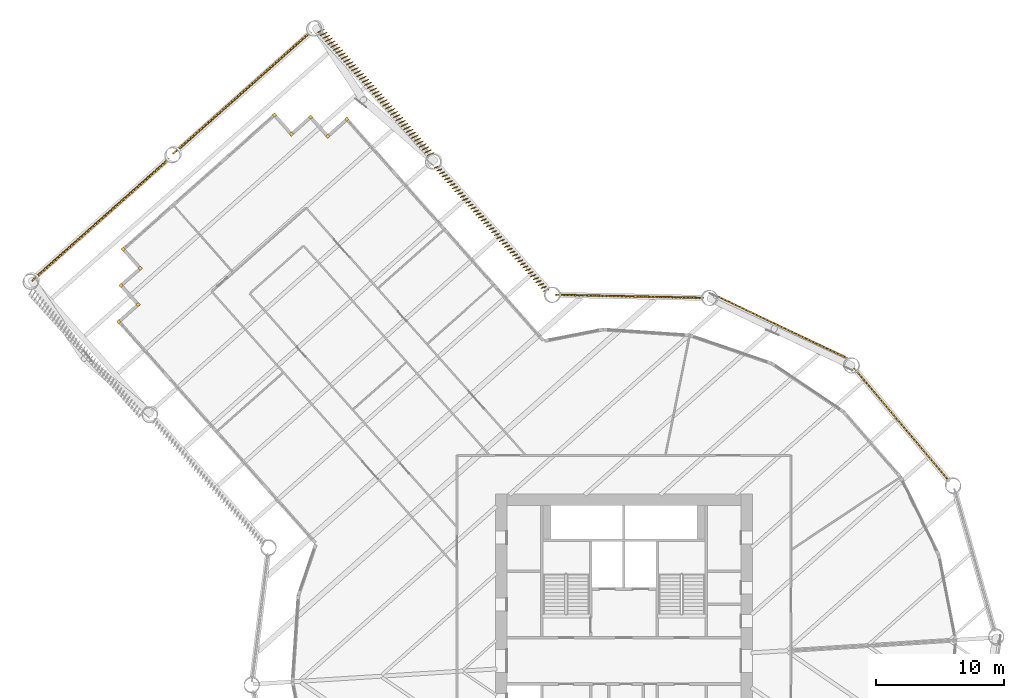
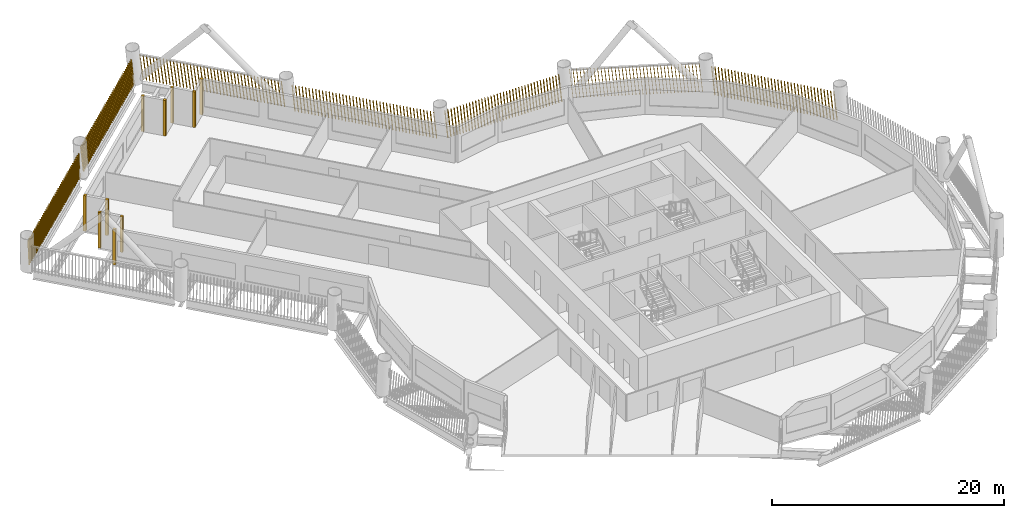
# One storey, part 21 of 22: 17 shading devices.
"""IFC4 building model written with IfcOpenShell, lengths in metres."""

from ifc_helpers import new_model, si_unit, direction, frame, frame_2d, origin, origin_2d, place, context, subcontext, project, spatial, rectangle, composite_profile, extrude, material, type_object, element, save


model = new_model("IFC4")

# Units and contexts
model_context = context("Model", 3, precision=1e-05, world=origin(), true_north=direction((0.0, 1.0)))
body_context = subcontext(model_context, "Body", "Model", "MODEL_VIEW")
ifc_project = project(units=[si_unit("LENGTHUNIT", "METRE"), si_unit("AREAUNIT", "SQUARE_METRE"), si_unit("VOLUMEUNIT", "CUBIC_METRE"), si_unit("PLANEANGLEUNIT", "RADIAN"), si_unit("MASSUNIT", "GRAM", prefix="KILO")], contexts=[model_context])

# Site, building, storey
site_placement = place(None, origin())
site = spatial("IfcSite", under=ifc_project, at=site_placement, CompositionType="ELEMENT")
building_placement = place(site_placement, origin())
building = spatial("IfcBuilding", under=site, at=building_placement, Name="Tarsis Ring Headquarters", CompositionType="ELEMENT")
storey_placement = place(building_placement, frame((0.0, 0.0, 55.60009765625)))
storey = spatial("IfcBuildingStorey", under=building, at=storey_placement, Name="L11", CompositionType="ELEMENT", Elevation=55.60009765625)

# Shading devices
ifc_material = material(Name="Terracotta baguette", Category="masonry")
shading_device_type_1 = type_object("IfcShadingDeviceType", Name="Terracotta baguette screen", PredefinedType="USERDEFINED", material=ifc_material)
shading_device_1_placement = place(storey_placement, frame((25.33984375, 13.994140625, 0.0), z_axis=(0.0, 0.0, 1.0), x_axis=(-0.644305061203, 0.76475822554, 0.0)))
element("IfcShadingDevice", 1, at=shading_device_1_placement, inside=storey, type_object=shading_device_type_1, Name="Baguette screen L11-12", ObjectType="Terracotta baguette screen", PredefinedType="USERDEFINED", context=body_context, shape_type="SweptSolid", body=[
    extrude(composite_profile([rectangle(XDim=0.06005859375, YDim=0.1201171875, at=frame_2d((0.030029296875, 0.0))), rectangle(XDim=0.06005859375, YDim=0.1201171875, at=frame_2d((0.33251953125, 0.0))), rectangle(XDim=0.06005859375, YDim=0.1201171875, at=frame_2d((0.634765625, 0.0))), rectangle(XDim=0.06005859375, YDim=0.1201171875, at=frame_2d((0.937255859375, 0.0))), rectangle(XDim=0.06005859375, YDim=0.1201171875, at=frame_2d((1.239501953125, 0.0))), rectangle(XDim=0.06005859375, YDim=0.1201171875, at=frame_2d((1.5419921875, 0.0))), rectangle(XDim=0.06005859375, YDim=0.1201171875, at=frame_2d((1.844482421875, 0.0))), rectangle(XDim=0.06005859375, YDim=0.1201171875, at=frame_2d((2.146728515625, 0.0))), rectangle(XDim=0.06005859375, YDim=0.1201171875, at=frame_2d((2.44921875, 0.0))), rectangle(XDim=0.06005859375, YDim=0.1201171875, at=frame_2d((2.751708984375, 0.0))), rectangle(XDim=0.06005859375, YDim=0.1201171875, at=frame_2d((3.053955078125, 0.0))), rectangle(XDim=0.06005859375, YDim=0.1201171875, at=frame_2d((3.3564453125, 0.0))), rectangle(XDim=0.06005859375, YDim=0.1201171875, at=frame_2d((3.65869140625, 0.0))), rectangle(XDim=0.06005859375, YDim=0.1201171875, at=frame_2d((3.961181640625, 0.0))), rectangle(XDim=0.06005859375, YDim=0.1201171875, at=frame_2d((4.263671875, 0.0))), rectangle(XDim=0.06005859375, YDim=0.1201171875, at=frame_2d((4.56591796875, 0.0))), rectangle(XDim=0.06005859375, YDim=0.1201171875, at=frame_2d((4.868408203125, 0.0))), rectangle(XDim=0.06005859375, YDim=0.1201171875, at=frame_2d((5.1708984375, 0.0))), rectangle(XDim=0.06005859375, YDim=0.1201171875, at=frame_2d((5.47314453125, 0.0))), rectangle(XDim=0.06005859375, YDim=0.1201171875, at=frame_2d((5.775634765625, 0.0))), rectangle(XDim=0.06005859375, YDim=0.1201171875, at=frame_2d((6.077880859375, 0.0))), rectangle(XDim=0.06005859375, YDim=0.1201171875, at=frame_2d((6.38037109375, 0.0))), rectangle(XDim=0.06005859375, YDim=0.1201171875, at=frame_2d((6.682861328125, 0.0))), rectangle(XDim=0.06005859375, YDim=0.1201171875, at=frame_2d((6.985107421875, 0.0))), rectangle(XDim=0.06005859375, YDim=0.1201171875, at=frame_2d((7.28759765625, 0.0))), rectangle(XDim=0.06005859375, YDim=0.1201171875, at=frame_2d((7.590087890625, 0.0))), rectangle(XDim=0.06005859375, YDim=0.1201171875, at=frame_2d((7.892333984375, 0.0))), rectangle(XDim=0.06005859375, YDim=0.1201171875, at=frame_2d((8.19482421875, 0.0))), rectangle(XDim=0.06005859375, YDim=0.1201171875, at=frame_2d((8.4970703125, 0.0))), rectangle(XDim=0.06005859375, YDim=0.1201171875, at=frame_2d((8.799560546875, 0.0))), rectangle(XDim=0.06005859375, YDim=0.1201171875, at=frame_2d((9.10205078125, 0.0))), rectangle(XDim=0.06005859375, YDim=0.1201171875, at=frame_2d((9.404296875, 0.0))), rectangle(XDim=0.06005859375, YDim=0.1201171875, at=frame_2d((9.706787109375, 0.0))), rectangle(XDim=0.06005859375, YDim=0.1201171875, at=frame_2d((10.00927734375, 0.0))), rectangle(XDim=0.06005859375, YDim=0.1201171875, at=frame_2d((10.3115234375, 0.0))), rectangle(XDim=0.06005859375, YDim=0.1201171875, at=frame_2d((10.614013671875, 0.0))), rectangle(XDim=0.06005859375, YDim=0.1201171875, at=frame_2d((10.916259765625, 0.0))), rectangle(XDim=0.06005859375, YDim=0.1201171875, at=frame_2d((11.21875, 0.0)))]), origin(), (0.100208216229, 0.000524106911, 0.994966350543), 2.96728515625),
])
shading_device_2_placement = place(storey_placement, frame((17.48046875, 23.533203125, 0.0), z_axis=(0.0, 0.0, 1.0), x_axis=(-0.902265920042, 0.431197638581, 0.0)))
element("IfcShadingDevice", 2, at=shading_device_2_placement, inside=storey, type_object=shading_device_type_1, Name="Baguette screen L11-13", ObjectType="Terracotta baguette screen", PredefinedType="USERDEFINED", context=body_context, shape_type="SweptSolid", body=[
    extrude(composite_profile([rectangle(XDim=0.06005859375, YDim=0.1201171875, at=frame_2d((0.030029296875, 0.0))), rectangle(XDim=0.06005859375, YDim=0.1201171875, at=frame_2d((0.33251953125, 0.0))), rectangle(XDim=0.06005859375, YDim=0.1201171875, at=frame_2d((0.634765625, 0.0))), rectangle(XDim=0.06005859375, YDim=0.1201171875, at=frame_2d((0.937255859375, 0.0))), rectangle(XDim=0.06005859375, YDim=0.1201171875, at=frame_2d((1.239501953125, 0.0))), rectangle(XDim=0.06005859375, YDim=0.1201171875, at=frame_2d((1.5419921875, 0.0))), rectangle(XDim=0.06005859375, YDim=0.1201171875, at=frame_2d((1.844482421875, 0.0))), rectangle(XDim=0.06005859375, YDim=0.1201171875, at=frame_2d((2.146728515625, 0.0))), rectangle(XDim=0.06005859375, YDim=0.1201171875, at=frame_2d((2.44921875, 0.0))), rectangle(XDim=0.06005859375, YDim=0.1201171875, at=frame_2d((2.751708984375, 0.0))), rectangle(XDim=0.06005859375, YDim=0.1201171875, at=frame_2d((3.053955078125, 0.0))), rectangle(XDim=0.06005859375, YDim=0.1201171875, at=frame_2d((3.3564453125, 0.0))), rectangle(XDim=0.06005859375, YDim=0.1201171875, at=frame_2d((3.65869140625, 0.0))), rectangle(XDim=0.06005859375, YDim=0.1201171875, at=frame_2d((3.961181640625, 0.0))), rectangle(XDim=0.06005859375, YDim=0.1201171875, at=frame_2d((4.263671875, 0.0))), rectangle(XDim=0.06005859375, YDim=0.1201171875, at=frame_2d((4.56591796875, 0.0))), rectangle(XDim=0.06005859375, YDim=0.1201171875, at=frame_2d((4.868408203125, 0.0))), rectangle(XDim=0.06005859375, YDim=0.1201171875, at=frame_2d((5.1708984375, 0.0))), rectangle(XDim=0.06005859375, YDim=0.1201171875, at=frame_2d((5.47314453125, 0.0))), rectangle(XDim=0.06005859375, YDim=0.1201171875, at=frame_2d((5.775634765625, 0.0))), rectangle(XDim=0.06005859375, YDim=0.1201171875, at=frame_2d((6.077880859375, 0.0))), rectangle(XDim=0.06005859375, YDim=0.1201171875, at=frame_2d((6.38037109375, 0.0))), rectangle(XDim=0.06005859375, YDim=0.1201171875, at=frame_2d((6.682861328125, 0.0))), rectangle(XDim=0.06005859375, YDim=0.1201171875, at=frame_2d((6.985107421875, 0.0))), rectangle(XDim=0.06005859375, YDim=0.1201171875, at=frame_2d((7.28759765625, 0.0))), rectangle(XDim=0.06005859375, YDim=0.1201171875, at=frame_2d((7.590087890625, 0.0))), rectangle(XDim=0.06005859375, YDim=0.1201171875, at=frame_2d((7.892333984375, 0.0))), rectangle(XDim=0.06005859375, YDim=0.1201171875, at=frame_2d((8.19482421875, 0.0))), rectangle(XDim=0.06005859375, YDim=0.1201171875, at=frame_2d((8.4970703125, 0.0))), rectangle(XDim=0.06005859375, YDim=0.1201171875, at=frame_2d((8.799560546875, 0.0))), rectangle(XDim=0.06005859375, YDim=0.1201171875, at=frame_2d((9.10205078125, 0.0))), rectangle(XDim=0.06005859375, YDim=0.1201171875, at=frame_2d((9.404296875, 0.0))), rectangle(XDim=0.06005859375, YDim=0.1201171875, at=frame_2d((9.706787109375, 0.0))), rectangle(XDim=0.06005859375, YDim=0.1201171875, at=frame_2d((10.00927734375, 0.0))), rectangle(XDim=0.06005859375, YDim=0.1201171875, at=frame_2d((10.3115234375, 0.0))), rectangle(XDim=0.06005859375, YDim=0.1201171875, at=frame_2d((10.614013671875, 0.0))), rectangle(XDim=0.06005859375, YDim=0.1201171875, at=frame_2d((10.916259765625, 0.0))), rectangle(XDim=0.06005859375, YDim=0.1201171875, at=frame_2d((11.21875, 0.0)))]), origin(), (0.101519039672, 0.000530514937, 0.994833454975), 2.9677734375),
])
shading_device_3_placement = place(storey_placement, frame((6.218505859375, 28.271484375, 0.0), z_axis=(0.0, 0.0, 1.0), x_axis=(-0.999782962561, 0.020965816603, 0.0)))
element("IfcShadingDevice", 3, at=shading_device_3_placement, inside=storey, type_object=shading_device_type_1, Name="Baguette screen L11-14", ObjectType="Terracotta baguette screen", PredefinedType="USERDEFINED", context=body_context, shape_type="SweptSolid", body=[
    extrude(composite_profile([rectangle(XDim=0.06005859375, YDim=0.1201171875, at=frame_2d((0.030029296875, 0.0))), rectangle(XDim=0.06005859375, YDim=0.1201171875, at=frame_2d((0.33251953125, 0.0))), rectangle(XDim=0.06005859375, YDim=0.1201171875, at=frame_2d((0.634765625, 0.0))), rectangle(XDim=0.06005859375, YDim=0.1201171875, at=frame_2d((0.937255859375, 0.0))), rectangle(XDim=0.06005859375, YDim=0.1201171875, at=frame_2d((1.239501953125, 0.0))), rectangle(XDim=0.06005859375, YDim=0.1201171875, at=frame_2d((1.5419921875, 0.0))), rectangle(XDim=0.06005859375, YDim=0.1201171875, at=frame_2d((1.844482421875, 0.0))), rectangle(XDim=0.06005859375, YDim=0.1201171875, at=frame_2d((2.146728515625, 0.0))), rectangle(XDim=0.06005859375, YDim=0.1201171875, at=frame_2d((2.44921875, 0.0))), rectangle(XDim=0.06005859375, YDim=0.1201171875, at=frame_2d((2.751708984375, 0.0))), rectangle(XDim=0.06005859375, YDim=0.1201171875, at=frame_2d((3.053955078125, 0.0))), rectangle(XDim=0.06005859375, YDim=0.1201171875, at=frame_2d((3.3564453125, 0.0))), rectangle(XDim=0.06005859375, YDim=0.1201171875, at=frame_2d((3.65869140625, 0.0))), rectangle(XDim=0.06005859375, YDim=0.1201171875, at=frame_2d((3.961181640625, 0.0))), rectangle(XDim=0.06005859375, YDim=0.1201171875, at=frame_2d((4.263671875, 0.0))), rectangle(XDim=0.06005859375, YDim=0.1201171875, at=frame_2d((4.56591796875, 0.0))), rectangle(XDim=0.06005859375, YDim=0.1201171875, at=frame_2d((4.868408203125, 0.0))), rectangle(XDim=0.06005859375, YDim=0.1201171875, at=frame_2d((5.1708984375, 0.0))), rectangle(XDim=0.06005859375, YDim=0.1201171875, at=frame_2d((5.47314453125, 0.0))), rectangle(XDim=0.06005859375, YDim=0.1201171875, at=frame_2d((5.775634765625, 0.0))), rectangle(XDim=0.06005859375, YDim=0.1201171875, at=frame_2d((6.077880859375, 0.0))), rectangle(XDim=0.06005859375, YDim=0.1201171875, at=frame_2d((6.38037109375, 0.0))), rectangle(XDim=0.06005859375, YDim=0.1201171875, at=frame_2d((6.682861328125, 0.0))), rectangle(XDim=0.06005859375, YDim=0.1201171875, at=frame_2d((6.985107421875, 0.0))), rectangle(XDim=0.06005859375, YDim=0.1201171875, at=frame_2d((7.28759765625, 0.0))), rectangle(XDim=0.06005859375, YDim=0.1201171875, at=frame_2d((7.590087890625, 0.0))), rectangle(XDim=0.06005859375, YDim=0.1201171875, at=frame_2d((7.892333984375, 0.0))), rectangle(XDim=0.06005859375, YDim=0.1201171875, at=frame_2d((8.19482421875, 0.0))), rectangle(XDim=0.06005859375, YDim=0.1201171875, at=frame_2d((8.4970703125, 0.0))), rectangle(XDim=0.06005859375, YDim=0.1201171875, at=frame_2d((8.799560546875, 0.0))), rectangle(XDim=0.06005859375, YDim=0.1201171875, at=frame_2d((9.10205078125, 0.0))), rectangle(XDim=0.06005859375, YDim=0.1201171875, at=frame_2d((9.404296875, 0.0))), rectangle(XDim=0.06005859375, YDim=0.1201171875, at=frame_2d((9.706787109375, 0.0))), rectangle(XDim=0.06005859375, YDim=0.1201171875, at=frame_2d((10.00927734375, 0.0))), rectangle(XDim=0.06005859375, YDim=0.1201171875, at=frame_2d((10.3115234375, 0.0))), rectangle(XDim=0.06005859375, YDim=0.1201171875, at=frame_2d((10.614013671875, 0.0))), rectangle(XDim=0.06005859375, YDim=0.1201171875, at=frame_2d((10.916259765625, 0.0))), rectangle(XDim=0.06005859375, YDim=0.1201171875, at=frame_2d((11.21875, 0.0)))]), origin(), (0.100208808178, 0.000524899861, 0.994966290506), 2.96728515625),
])
shading_device_4_placement = place(storey_placement, frame((-5.859619140625, 28.8916015625, 0.0), z_axis=(0.0, 0.0, 1.0), x_axis=(-0.66393551195, 0.747800253562, 0.0)))
element("IfcShadingDevice", 4, at=shading_device_4_placement, inside=storey, type_object=shading_device_type_1, Name="Baguette screen L11-15", ObjectType="Terracotta baguette screen", PredefinedType="USERDEFINED", context=body_context, shape_type="SweptSolid", body=[
    extrude(composite_profile([rectangle(XDim=0.06005859375, YDim=0.1201171875, at=frame_2d((0.030029296875, 0.0))), rectangle(XDim=0.06005859375, YDim=0.1201171875, at=frame_2d((0.335693359375, 0.0))), rectangle(XDim=0.06005859375, YDim=0.1201171875, at=frame_2d((0.6416015625, 0.0))), rectangle(XDim=0.06005859375, YDim=0.1201171875, at=frame_2d((0.947265625, 0.0))), rectangle(XDim=0.06005859375, YDim=0.1201171875, at=frame_2d((1.253173828125, 0.0))), rectangle(XDim=0.06005859375, YDim=0.1201171875, at=frame_2d((1.558837890625, 0.0))), rectangle(XDim=0.06005859375, YDim=0.1201171875, at=frame_2d((1.864501953125, 0.0))), rectangle(XDim=0.06005859375, YDim=0.1201171875, at=frame_2d((2.17041015625, 0.0))), rectangle(XDim=0.06005859375, YDim=0.1201171875, at=frame_2d((2.47607421875, 0.0))), rectangle(XDim=0.06005859375, YDim=0.1201171875, at=frame_2d((2.781982421875, 0.0))), rectangle(XDim=0.06005859375, YDim=0.1201171875, at=frame_2d((3.087646484375, 0.0))), rectangle(XDim=0.06005859375, YDim=0.1201171875, at=frame_2d((3.393310546875, 0.0))), rectangle(XDim=0.06005859375, YDim=0.1201171875, at=frame_2d((3.69921875, 0.0))), rectangle(XDim=0.06005859375, YDim=0.1201171875, at=frame_2d((4.0048828125, 0.0))), rectangle(XDim=0.06005859375, YDim=0.1201171875, at=frame_2d((4.310791015625, 0.0))), rectangle(XDim=0.06005859375, YDim=0.1201171875, at=frame_2d((4.616455078125, 0.0))), rectangle(XDim=0.06005859375, YDim=0.1201171875, at=frame_2d((4.922119140625, 0.0))), rectangle(XDim=0.06005859375, YDim=0.1201171875, at=frame_2d((5.22802734375, 0.0))), rectangle(XDim=0.06005859375, YDim=0.1201171875, at=frame_2d((5.53369140625, 0.0))), rectangle(XDim=0.06005859375, YDim=0.1201171875, at=frame_2d((5.839599609375, 0.0))), rectangle(XDim=0.06005859375, YDim=0.1201171875, at=frame_2d((6.145263671875, 0.0))), rectangle(XDim=0.06005859375, YDim=0.1201171875, at=frame_2d((6.451171875, 0.0))), rectangle(XDim=0.06005859375, YDim=0.1201171875, at=frame_2d((6.7568359375, 0.0))), rectangle(XDim=0.06005859375, YDim=0.1201171875, at=frame_2d((7.0625, 0.0))), rectangle(XDim=0.06005859375, YDim=0.1201171875, at=frame_2d((7.368408203125, 0.0))), rectangle(XDim=0.06005859375, YDim=0.1201171875, at=frame_2d((7.674072265625, 0.0))), rectangle(XDim=0.06005859375, YDim=0.1201171875, at=frame_2d((7.97998046875, 0.0))), rectangle(XDim=0.06005859375, YDim=0.1201171875, at=frame_2d((8.28564453125, 0.0))), rectangle(XDim=0.06005859375, YDim=0.1201171875, at=frame_2d((8.59130859375, 0.0))), rectangle(XDim=0.06005859375, YDim=0.1201171875, at=frame_2d((8.897216796875, 0.0))), rectangle(XDim=0.06005859375, YDim=0.1201171875, at=frame_2d((9.202880859375, 0.0))), rectangle(XDim=0.06005859375, YDim=0.1201171875, at=frame_2d((9.5087890625, 0.0))), rectangle(XDim=0.06005859375, YDim=0.1201171875, at=frame_2d((9.814453125, 0.0))), rectangle(XDim=0.06005859375, YDim=0.1201171875, at=frame_2d((10.1201171875, 0.0))), rectangle(XDim=0.06005859375, YDim=0.1201171875, at=frame_2d((10.426025390625, 0.0))), rectangle(XDim=0.06005859375, YDim=0.1201171875, at=frame_2d((10.731689453125, 0.0))), rectangle(XDim=0.06005859375, YDim=0.1201171875, at=frame_2d((11.03759765625, 0.0))), rectangle(XDim=0.06005859375, YDim=0.1201171875, at=frame_2d((11.34326171875, 0.0))), rectangle(XDim=0.06005859375, YDim=0.1201171875, at=frame_2d((11.64892578125, 0.0))), rectangle(XDim=0.06005859375, YDim=0.1201171875, at=frame_2d((11.954833984375, 0.0))), rectangle(XDim=0.06005859375, YDim=0.1201171875, at=frame_2d((12.260498046875, 0.0))), rectangle(XDim=0.06005859375, YDim=0.1201171875, at=frame_2d((12.56640625, 0.0))), rectangle(XDim=0.06005859375, YDim=0.1201171875, at=frame_2d((12.8720703125, 0.0)))]), origin(), (0.05150104346, 0.112710917812, 0.99229224099), 2.975341796875),
])
shading_device_5_placement = place(storey_placement, frame((-14.809326171875, 39.53662109375, 0.0), z_axis=(0.0, 0.0, 1.0), x_axis=(-0.66393551195, 0.747800253562, 0.0)))
element("IfcShadingDevice", 5, at=shading_device_5_placement, inside=storey, type_object=shading_device_type_1, Name="Baguette screen L11-16", ObjectType="Terracotta baguette screen", PredefinedType="USERDEFINED", context=body_context, shape_type="SweptSolid", body=[
    extrude(composite_profile([rectangle(XDim=0.06005859375, YDim=0.1201171875, at=frame_2d((0.030029296875, 0.0))), rectangle(XDim=0.06005859375, YDim=0.1201171875, at=frame_2d((0.335693359375, 0.0))), rectangle(XDim=0.06005859375, YDim=0.1201171875, at=frame_2d((0.6416015625, 0.0))), rectangle(XDim=0.06005859375, YDim=0.1201171875, at=frame_2d((0.947265625, 0.0))), rectangle(XDim=0.06005859375, YDim=0.1201171875, at=frame_2d((1.253173828125, 0.0))), rectangle(XDim=0.06005859375, YDim=0.1201171875, at=frame_2d((1.558837890625, 0.0))), rectangle(XDim=0.06005859375, YDim=0.1201171875, at=frame_2d((1.864501953125, 0.0))), rectangle(XDim=0.06005859375, YDim=0.1201171875, at=frame_2d((2.17041015625, 0.0))), rectangle(XDim=0.06005859375, YDim=0.1201171875, at=frame_2d((2.47607421875, 0.0))), rectangle(XDim=0.06005859375, YDim=0.1201171875, at=frame_2d((2.781982421875, 0.0))), rectangle(XDim=0.06005859375, YDim=0.1201171875, at=frame_2d((3.087646484375, 0.0))), rectangle(XDim=0.06005859375, YDim=0.1201171875, at=frame_2d((3.393310546875, 0.0))), rectangle(XDim=0.06005859375, YDim=0.1201171875, at=frame_2d((3.69921875, 0.0))), rectangle(XDim=0.06005859375, YDim=0.1201171875, at=frame_2d((4.0048828125, 0.0))), rectangle(XDim=0.06005859375, YDim=0.1201171875, at=frame_2d((4.310791015625, 0.0))), rectangle(XDim=0.06005859375, YDim=0.1201171875, at=frame_2d((4.616455078125, 0.0))), rectangle(XDim=0.06005859375, YDim=0.1201171875, at=frame_2d((4.922119140625, 0.0))), rectangle(XDim=0.06005859375, YDim=0.1201171875, at=frame_2d((5.22802734375, 0.0))), rectangle(XDim=0.06005859375, YDim=0.1201171875, at=frame_2d((5.53369140625, 0.0))), rectangle(XDim=0.06005859375, YDim=0.1201171875, at=frame_2d((5.839599609375, 0.0))), rectangle(XDim=0.06005859375, YDim=0.1201171875, at=frame_2d((6.145263671875, 0.0))), rectangle(XDim=0.06005859375, YDim=0.1201171875, at=frame_2d((6.451171875, 0.0))), rectangle(XDim=0.06005859375, YDim=0.1201171875, at=frame_2d((6.7568359375, 0.0))), rectangle(XDim=0.06005859375, YDim=0.1201171875, at=frame_2d((7.0625, 0.0))), rectangle(XDim=0.06005859375, YDim=0.1201171875, at=frame_2d((7.368408203125, 0.0))), rectangle(XDim=0.06005859375, YDim=0.1201171875, at=frame_2d((7.674072265625, 0.0))), rectangle(XDim=0.06005859375, YDim=0.1201171875, at=frame_2d((7.97998046875, 0.0))), rectangle(XDim=0.06005859375, YDim=0.1201171875, at=frame_2d((8.28564453125, 0.0))), rectangle(XDim=0.06005859375, YDim=0.1201171875, at=frame_2d((8.59130859375, 0.0))), rectangle(XDim=0.06005859375, YDim=0.1201171875, at=frame_2d((8.897216796875, 0.0))), rectangle(XDim=0.06005859375, YDim=0.1201171875, at=frame_2d((9.202880859375, 0.0))), rectangle(XDim=0.06005859375, YDim=0.1201171875, at=frame_2d((9.5087890625, 0.0))), rectangle(XDim=0.06005859375, YDim=0.1201171875, at=frame_2d((9.814453125, 0.0))), rectangle(XDim=0.06005859375, YDim=0.1201171875, at=frame_2d((10.1201171875, 0.0))), rectangle(XDim=0.06005859375, YDim=0.1201171875, at=frame_2d((10.426025390625, 0.0))), rectangle(XDim=0.06005859375, YDim=0.1201171875, at=frame_2d((10.731689453125, 0.0))), rectangle(XDim=0.06005859375, YDim=0.1201171875, at=frame_2d((11.03759765625, 0.0))), rectangle(XDim=0.06005859375, YDim=0.1201171875, at=frame_2d((11.34326171875, 0.0))), rectangle(XDim=0.06005859375, YDim=0.1201171875, at=frame_2d((11.64892578125, 0.0))), rectangle(XDim=0.06005859375, YDim=0.1201171875, at=frame_2d((11.954833984375, 0.0))), rectangle(XDim=0.06005859375, YDim=0.1201171875, at=frame_2d((12.260498046875, 0.0))), rectangle(XDim=0.06005859375, YDim=0.1201171875, at=frame_2d((12.56640625, 0.0))), rectangle(XDim=0.06005859375, YDim=0.1201171875, at=frame_2d((12.8720703125, 0.0)))]), origin(), (0.052213109336, 0.160564341066, 0.985643385607), 2.995361328125),
])
shading_device_6_placement = place(storey_placement, frame((-24.36181640625, 48.977783203125, 0.0), z_axis=(0.0, 0.0, 1.0), x_axis=(-0.747793011942, -0.66391862008, 0.0)))
element("IfcShadingDevice", 6, at=shading_device_6_placement, inside=storey, type_object=shading_device_type_1, Name="Baguette screen L11-17", ObjectType="Terracotta baguette screen", PredefinedType="USERDEFINED", context=body_context, shape_type="SweptSolid", body=[
    extrude(composite_profile([rectangle(XDim=0.06005859375, YDim=0.1201171875, at=frame_2d((0.030029296875, 0.0))), rectangle(XDim=0.06005859375, YDim=0.1201171875, at=frame_2d((0.33544921875, 0.0))), rectangle(XDim=0.06005859375, YDim=0.1201171875, at=frame_2d((0.640625, 0.0))), rectangle(XDim=0.06005859375, YDim=0.1201171875, at=frame_2d((0.946044921875, 0.0))), rectangle(XDim=0.06005859375, YDim=0.1201171875, at=frame_2d((1.25146484375, 0.0))), rectangle(XDim=0.06005859375, YDim=0.1201171875, at=frame_2d((1.556640625, 0.0))), rectangle(XDim=0.06005859375, YDim=0.1201171875, at=frame_2d((1.862060546875, 0.0))), rectangle(XDim=0.06005859375, YDim=0.1201171875, at=frame_2d((2.16748046875, 0.0))), rectangle(XDim=0.06005859375, YDim=0.1201171875, at=frame_2d((2.47265625, 0.0))), rectangle(XDim=0.06005859375, YDim=0.1201171875, at=frame_2d((2.778076171875, 0.0))), rectangle(XDim=0.06005859375, YDim=0.1201171875, at=frame_2d((3.08349609375, 0.0))), rectangle(XDim=0.06005859375, YDim=0.1201171875, at=frame_2d((3.388671875, 0.0))), rectangle(XDim=0.06005859375, YDim=0.1201171875, at=frame_2d((3.694091796875, 0.0))), rectangle(XDim=0.06005859375, YDim=0.1201171875, at=frame_2d((3.99951171875, 0.0))), rectangle(XDim=0.06005859375, YDim=0.1201171875, at=frame_2d((4.3046875, 0.0))), rectangle(XDim=0.06005859375, YDim=0.1201171875, at=frame_2d((4.610107421875, 0.0))), rectangle(XDim=0.06005859375, YDim=0.1201171875, at=frame_2d((4.91552734375, 0.0))), rectangle(XDim=0.06005859375, YDim=0.1201171875, at=frame_2d((5.220703125, 0.0))), rectangle(XDim=0.06005859375, YDim=0.1201171875, at=frame_2d((5.526123046875, 0.0))), rectangle(XDim=0.06005859375, YDim=0.1201171875, at=frame_2d((5.83154296875, 0.0))), rectangle(XDim=0.06005859375, YDim=0.1201171875, at=frame_2d((6.13671875, 0.0))), rectangle(XDim=0.06005859375, YDim=0.1201171875, at=frame_2d((6.442138671875, 0.0))), rectangle(XDim=0.06005859375, YDim=0.1201171875, at=frame_2d((6.74755859375, 0.0))), rectangle(XDim=0.06005859375, YDim=0.1201171875, at=frame_2d((7.052734375, 0.0))), rectangle(XDim=0.06005859375, YDim=0.1201171875, at=frame_2d((7.358154296875, 0.0))), rectangle(XDim=0.06005859375, YDim=0.1201171875, at=frame_2d((7.66357421875, 0.0))), rectangle(XDim=0.06005859375, YDim=0.1201171875, at=frame_2d((7.96875, 0.0))), rectangle(XDim=0.06005859375, YDim=0.1201171875, at=frame_2d((8.274169921875, 0.0))), rectangle(XDim=0.06005859375, YDim=0.1201171875, at=frame_2d((8.57958984375, 0.0))), rectangle(XDim=0.06005859375, YDim=0.1201171875, at=frame_2d((8.884765625, 0.0))), rectangle(XDim=0.06005859375, YDim=0.1201171875, at=frame_2d((9.190185546875, 0.0))), rectangle(XDim=0.06005859375, YDim=0.1201171875, at=frame_2d((9.49560546875, 0.0))), rectangle(XDim=0.06005859375, YDim=0.1201171875, at=frame_2d((9.80078125, 0.0))), rectangle(XDim=0.06005859375, YDim=0.1201171875, at=frame_2d((10.106201171875, 0.0))), rectangle(XDim=0.06005859375, YDim=0.1201171875, at=frame_2d((10.41162109375, 0.0))), rectangle(XDim=0.06005859375, YDim=0.1201171875, at=frame_2d((10.716796875, 0.0))), rectangle(XDim=0.06005859375, YDim=0.1201171875, at=frame_2d((11.022216796875, 0.0))), rectangle(XDim=0.06005859375, YDim=0.1201171875, at=frame_2d((11.32763671875, 0.0))), rectangle(XDim=0.06005859375, YDim=0.1201171875, at=frame_2d((11.6328125, 0.0))), rectangle(XDim=0.06005859375, YDim=0.1201171875, at=frame_2d((11.938232421875, 0.0))), rectangle(XDim=0.06005859375, YDim=0.1201171875, at=frame_2d((12.24365234375, 0.0))), rectangle(XDim=0.06005859375, YDim=0.1201171875, at=frame_2d((12.548828125, 0.0))), rectangle(XDim=0.06005859375, YDim=0.1201171875, at=frame_2d((12.854248046875, 0.0))), rectangle(XDim=0.06005859375, YDim=0.1201171875, at=frame_2d((13.15966796875, 0.0))), rectangle(XDim=0.06005859375, YDim=0.1201171875, at=frame_2d((13.46484375, 0.0))), rectangle(XDim=0.06005859375, YDim=0.1201171875, at=frame_2d((13.770263671875, 0.0)))]), origin(), (0.184146915255, -0.024825750032, 0.982585159534), 3.004638671875),
])
shading_device_7_placement = place(storey_placement, frame((-35.42919921875, 39.15185546875, 0.0), z_axis=(0.0, 0.0, 1.0), x_axis=(-0.747793011942, -0.663936311367, 0.0)))
element("IfcShadingDevice", 7, at=shading_device_7_placement, inside=storey, type_object=shading_device_type_1, Name="Baguette screen L11-18", ObjectType="Terracotta baguette screen", PredefinedType="USERDEFINED", context=body_context, shape_type="SweptSolid", body=[
    extrude(composite_profile([rectangle(XDim=0.06005859375, YDim=0.1201171875, at=frame_2d((0.030029296875, 0.0))), rectangle(XDim=0.06005859375, YDim=0.1201171875, at=frame_2d((0.33544921875, 0.0))), rectangle(XDim=0.06005859375, YDim=0.1201171875, at=frame_2d((0.640625, 0.0))), rectangle(XDim=0.06005859375, YDim=0.1201171875, at=frame_2d((0.946044921875, 0.0))), rectangle(XDim=0.06005859375, YDim=0.1201171875, at=frame_2d((1.25146484375, 0.0))), rectangle(XDim=0.06005859375, YDim=0.1201171875, at=frame_2d((1.556640625, 0.0))), rectangle(XDim=0.06005859375, YDim=0.1201171875, at=frame_2d((1.862060546875, 0.0))), rectangle(XDim=0.06005859375, YDim=0.1201171875, at=frame_2d((2.16748046875, 0.0))), rectangle(XDim=0.06005859375, YDim=0.1201171875, at=frame_2d((2.47265625, 0.0))), rectangle(XDim=0.06005859375, YDim=0.1201171875, at=frame_2d((2.778076171875, 0.0))), rectangle(XDim=0.06005859375, YDim=0.1201171875, at=frame_2d((3.08349609375, 0.0))), rectangle(XDim=0.06005859375, YDim=0.1201171875, at=frame_2d((3.388671875, 0.0))), rectangle(XDim=0.06005859375, YDim=0.1201171875, at=frame_2d((3.694091796875, 0.0))), rectangle(XDim=0.06005859375, YDim=0.1201171875, at=frame_2d((3.99951171875, 0.0))), rectangle(XDim=0.06005859375, YDim=0.1201171875, at=frame_2d((4.3046875, 0.0))), rectangle(XDim=0.06005859375, YDim=0.1201171875, at=frame_2d((4.610107421875, 0.0))), rectangle(XDim=0.06005859375, YDim=0.1201171875, at=frame_2d((4.91552734375, 0.0))), rectangle(XDim=0.06005859375, YDim=0.1201171875, at=frame_2d((5.220703125, 0.0))), rectangle(XDim=0.06005859375, YDim=0.1201171875, at=frame_2d((5.526123046875, 0.0))), rectangle(XDim=0.06005859375, YDim=0.1201171875, at=frame_2d((5.83154296875, 0.0))), rectangle(XDim=0.06005859375, YDim=0.1201171875, at=frame_2d((6.13671875, 0.0))), rectangle(XDim=0.06005859375, YDim=0.1201171875, at=frame_2d((6.442138671875, 0.0))), rectangle(XDim=0.06005859375, YDim=0.1201171875, at=frame_2d((6.74755859375, 0.0))), rectangle(XDim=0.06005859375, YDim=0.1201171875, at=frame_2d((7.052734375, 0.0))), rectangle(XDim=0.06005859375, YDim=0.1201171875, at=frame_2d((7.358154296875, 0.0))), rectangle(XDim=0.06005859375, YDim=0.1201171875, at=frame_2d((7.66357421875, 0.0))), rectangle(XDim=0.06005859375, YDim=0.1201171875, at=frame_2d((7.96875, 0.0))), rectangle(XDim=0.06005859375, YDim=0.1201171875, at=frame_2d((8.274169921875, 0.0))), rectangle(XDim=0.06005859375, YDim=0.1201171875, at=frame_2d((8.57958984375, 0.0))), rectangle(XDim=0.06005859375, YDim=0.1201171875, at=frame_2d((8.884765625, 0.0))), rectangle(XDim=0.06005859375, YDim=0.1201171875, at=frame_2d((9.190185546875, 0.0))), rectangle(XDim=0.06005859375, YDim=0.1201171875, at=frame_2d((9.49560546875, 0.0))), rectangle(XDim=0.06005859375, YDim=0.1201171875, at=frame_2d((9.80078125, 0.0))), rectangle(XDim=0.06005859375, YDim=0.1201171875, at=frame_2d((10.106201171875, 0.0))), rectangle(XDim=0.06005859375, YDim=0.1201171875, at=frame_2d((10.41162109375, 0.0))), rectangle(XDim=0.06005859375, YDim=0.1201171875, at=frame_2d((10.716796875, 0.0))), rectangle(XDim=0.06005859375, YDim=0.1201171875, at=frame_2d((11.022216796875, 0.0))), rectangle(XDim=0.06005859375, YDim=0.1201171875, at=frame_2d((11.32763671875, 0.0))), rectangle(XDim=0.06005859375, YDim=0.1201171875, at=frame_2d((11.6328125, 0.0))), rectangle(XDim=0.06005859375, YDim=0.1201171875, at=frame_2d((11.938232421875, 0.0))), rectangle(XDim=0.06005859375, YDim=0.1201171875, at=frame_2d((12.24365234375, 0.0))), rectangle(XDim=0.06005859375, YDim=0.1201171875, at=frame_2d((12.548828125, 0.0))), rectangle(XDim=0.06005859375, YDim=0.1201171875, at=frame_2d((12.854248046875, 0.0))), rectangle(XDim=0.06005859375, YDim=0.1201171875, at=frame_2d((13.15966796875, 0.0))), rectangle(XDim=0.06005859375, YDim=0.1201171875, at=frame_2d((13.46484375, 0.0))), rectangle(XDim=0.06005859375, YDim=0.1201171875, at=frame_2d((13.770263671875, 0.0)))]), origin(), (0.183879385871, 0.02675122341, 0.982584725862), 3.004638671875),
])
shading_device_type_2 = type_object("IfcShadingDeviceType", Name="Terracotta corner baguette 250x250", PredefinedType="USERDEFINED", material=ifc_material)
for number, where, z_axis, x_axis, name in (
    (8, (-39.337646484375, 26.421142578125, 0.0), (0.0, 0.0, 1.0), (-0.747798380191, -0.663925886364, 0.0), "Corner baguette L11-01"),
    (9, (-21.577392578125, 42.189453125, 0.0), (0.0, 0.0, 1.0), (-0.663926264858, 0.747798044148, 0.0), "Corner baguette L11-32"),
    (10, (-23.072998046875, 40.861572265625, 0.0), (0.0, 0.0, 1.0), (-0.747798160025, -0.663926134343, 0.0), "Corner baguette L11-33"),
    (11, (-24.40087890625, 42.357177734375, 0.0), (0.0, 0.0, 1.0), (-0.663925886364, 0.747798380191, 0.0), "Corner baguette L11-34"),
    (12, (-25.896484375, 41.029296875, 0.0), (0.0, 0.0, 1.0), (-0.747798125262, -0.663926173498, 0.0), "Corner baguette L11-35"),
    (13, (-27.224365234375, 42.52490234375, 0.0), (0.0, 0.0, 1.0), (-0.663926134343, 0.747798160025, 0.0), "Corner baguette L11-36"),
    (14, (-39.002197265625, 32.068115234375, 0.0), (0.0, 0.0, 1.0), (-0.747798113674, -0.663926186549, 0.0), "Corner baguette L11-37"),
    (15, (-37.67431640625, 30.572509765625, 0.0), (0.0, 0.0, 1.0), (0.663926173498, -0.747798125262, 0.0), "Corner baguette L11-38"),
    (16, (-39.169921875, 29.24462890625, 0.0), (0.0, 0.0, 1.0), (-0.747798160025, -0.663926134343, 0.0), "Corner baguette L11-39"),
    (17, (-37.842041015625, 27.7490234375, 0.0), (0.0, 0.0, 1.0), (0.663926421477, -0.747797905095, 0.0), "Corner baguette L11-40"),
):
    element("IfcShadingDevice", number, at=place(storey_placement, frame(where, z_axis=z_axis, x_axis=x_axis)), inside=storey, type_object=shading_device_type_2, Name=name, ObjectType="Terracotta corner baguette", PredefinedType="USERDEFINED", context=body_context, shape_type="SweptSolid", body=[
        extrude(rectangle(XDim=0.25, YDim=0.25, at=origin_2d()), origin(), (0.0, 0.0, 1.0), 3.739990234375),
    ])

save(model, "model.ifc")
